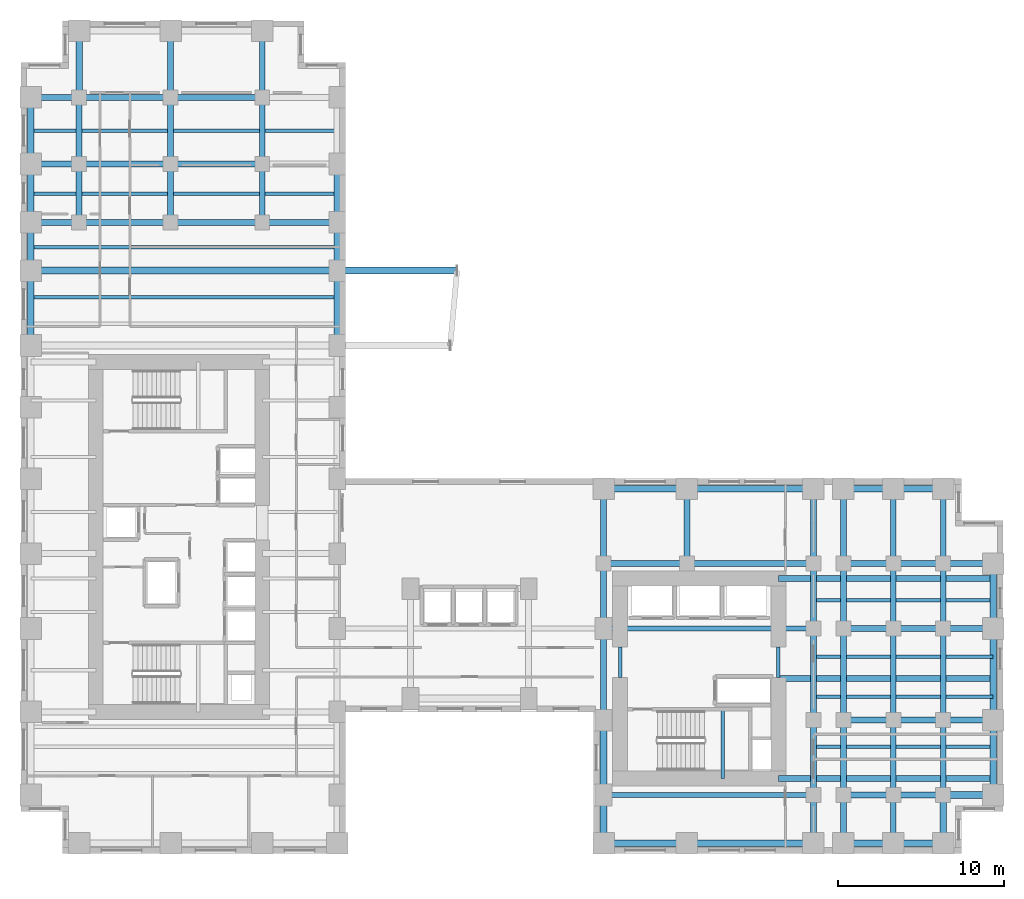
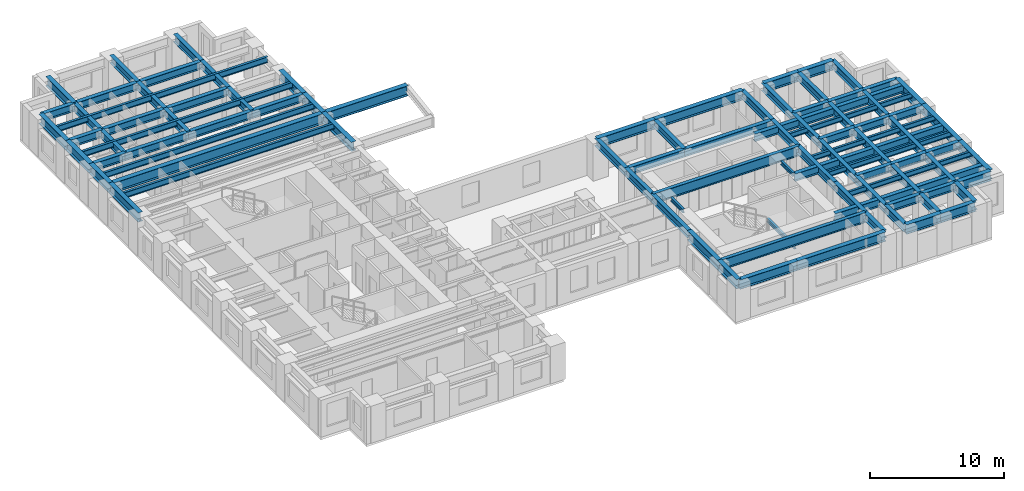
# One storey, part 3 of 13: 95 beams.
"""IFC4 building model written with IfcOpenShell, lengths in metres."""

from ifc_helpers import new_model, si_unit, direction, frame, origin, origin_2d, place, context, subcontext, project, spatial, i_section, extrude, source, transform, mapped, material, material_profile, profile_set, type_object, element, save


model = new_model("IFC4")

# Units and contexts
model_context = context("Model", 3, precision=1e-05, world=origin(), true_north=direction((0.0, 1.0)))
body_context = subcontext(model_context, "Body", "Model", "MODEL_VIEW")
ifc_project = project(units=[si_unit("LENGTHUNIT", "METRE"), si_unit("AREAUNIT", "SQUARE_METRE"), si_unit("VOLUMEUNIT", "CUBIC_METRE"), si_unit("PLANEANGLEUNIT", "RADIAN"), si_unit("MASSUNIT", "GRAM", prefix="KILO")], contexts=[model_context])

# Site, building, storey
site_placement = place(None, origin())
site = spatial("IfcSite", under=ifc_project, at=site_placement, CompositionType="ELEMENT")
building_placement = place(site_placement, origin())
building = spatial("IfcBuilding", under=site, at=building_placement, Name="Kharzan Plaza Tower", CompositionType="ELEMENT")
storey_placement = place(building_placement, frame((0.0, 0.0, 65.699951171875)))
storey = spatial("IfcBuildingStorey", under=building, at=storey_placement, Name="L17", CompositionType="ELEMENT", Elevation=65.699951171875)

# Beams
ifc_material = material(Name="Steel S355", Category="steel")
ifc_material_profile_1 = material_profile(ifc_material, i_section(OverallWidth=0.205078125, OverallDepth=0.35400390625, WebThickness=0.009521484375, FlangeThickness=0.016845703125, at=origin_2d()), Name="W360x79")
ifc_profile_set_1 = profile_set([ifc_material_profile_1], Name="Steel S355")
beam_type_1 = type_object("IfcBeamType", Name="BM-LNT360", PredefinedType="LINTEL", material=ifc_profile_set_1)
shared_shape_1 = source(origin(), body_context, "Body", "SweptSolid", [
    extrude(i_section(OverallWidth=0.205078125, OverallDepth=0.35400390625, WebThickness=0.009521484375, FlangeThickness=0.016845703125, at=origin_2d()), origin(), (0.0, 0.0, 1.0), 1.849853515625),
])
for number, where, z_axis, x_axis, name in (
    (1, (45.5, 10.550048828125, 3.203125), (0.0, 1.0, 0.0), (-1.0, 0.0, 0.0), "L17 CORE-B coupling lintel LN1-WE"),
    (2, (36.0, 10.550048828125, 3.203125), (0.0, 1.0, 0.0), (-1.0, 0.0, 0.0), "L17 CORE-B coupling lintel LN1-WW"),
):
    element("IfcBeam", number, at=place(storey_placement, frame(where, z_axis=z_axis, x_axis=x_axis)), inside=storey, type_object=beam_type_1, Name=name, PredefinedType="LINTEL", context=body_context, shape_type="MappedRepresentation", body=[
        mapped(shared_shape_1, transform((0.0, 0.0, 0.0), x_axis=(1.0, 0.0, 0.0), y_axis=(0.0, 1.0, 0.0), z_axis=(0.0, 0.0, 1.0))),
    ])
shared_shape_2 = source(origin(), body_context, "Body", "SweptSolid", [
    extrude(i_section(OverallWidth=0.205078125, OverallDepth=0.35400390625, WebThickness=0.009521484375, FlangeThickness=0.016845703125, at=origin_2d()), origin(), (0.0, 0.0, 1.0), 4.155029296875),
])
beam_1_placement = place(storey_placement, frame((42.14990234375, 4.5, 1.423095703125), z_axis=(0.0, 1.0, 0.0), x_axis=(-1.0, 0.0, 0.0)))
element("IfcBeam", 3, at=beam_1_placement, inside=storey, type_object=beam_type_1, Name="L17 Stair ST-3 Half-Landing Beam", PredefinedType="LINTEL", context=body_context, shape_type="MappedRepresentation", body=[
    mapped(shared_shape_2, transform((0.0, 0.0, 0.0), x_axis=(1.0, 0.0, 0.0), y_axis=(0.0, 1.0, 0.0), z_axis=(0.0, 0.0, 1.0))),
])
ifc_material_profile_2 = material_profile(ifc_material, i_section(OverallWidth=0.304931640625, OverallDepth=0.9189453125, WebThickness=0.017333984375, FlangeThickness=0.02783203125, at=origin_2d()), Name="W920x253")
ifc_profile_set_2 = profile_set([ifc_material_profile_2], Name="Steel S355")
beam_type_2 = type_object("IfcBeamType", Name="BM-FG920B", PredefinedType="BEAM", material=ifc_profile_set_2)
shared_shape_3 = source(origin(), body_context, "Body", "SweptSolid", [
    extrude(i_section(OverallWidth=0.304931640625, OverallDepth=0.9189453125, WebThickness=0.017333984375, FlangeThickness=0.02783203125, at=origin_2d()), origin(), (0.0, 0.0, 1.0), 12.60009765625),
])
for number, where, z_axis, x_axis, name in (
    (4, (35.0, 3.5, 2.920654296875), (1.0, 0.0, 0.0), (0.0, 1.0, 0.0), "L17 Primary Floor Girder"),
    (5, (35.0, 13.5, 2.920654296875), (1.0, 0.0, 0.0), (0.0, 1.0, 0.0), "L17 Primary Floor Girder"),
):
    element("IfcBeam", number, at=place(storey_placement, frame(where, z_axis=z_axis, x_axis=x_axis)), inside=storey, type_object=beam_type_2, Name=name, PredefinedType="BEAM", context=body_context, shape_type="MappedRepresentation", body=[
        mapped(shared_shape_3, transform((0.0, 0.0, 0.0), x_axis=(1.0, 0.0, 0.0), y_axis=(0.0, 1.0, 0.0), z_axis=(0.0, 0.0, 1.0))),
    ])
ifc_material_profile_3 = material_profile(ifc_material, i_section(OverallWidth=0.35498046875, OverallDepth=0.695068359375, WebThickness=0.015380859375, FlangeThickness=0.02490234375, at=origin_2d()), Name="W690x217")
ifc_profile_set_3 = profile_set([ifc_material_profile_3], Name="Steel S355")
beam_type_3 = type_object("IfcBeamType", Name="BM-FG690A", PredefinedType="BEAM", material=ifc_profile_set_3)
shared_shape_4 = source(origin(), body_context, "Body", "SweptSolid", [
    extrude(i_section(OverallWidth=0.35498046875, OverallDepth=0.695068359375, WebThickness=0.015380859375, FlangeThickness=0.02490234375, at=origin_2d()), origin(), (0.0, 0.0, 1.0), 4.5),
])
for number, where, z_axis, x_axis, name in (
    (6, (35.0, 17.39990234375, 3.032470703125), (0.0, 1.0, 0.0), (-1.0, 0.0, 0.0), "L17 Interior Frame Girder"),
    (7, (40.0, 17.39990234375, 3.032470703125), (0.0, 1.0, 0.0), (-1.0, 0.0, 0.0), "L17 Interior Frame Girder"),
    (8, (47.60009765625, 3.5, 3.032470703125), (0.0, 1.0, 0.0), (-1.0, 0.0, 0.0), "L17 Interior Frame Girder"),
    (9, (47.60009765625, 17.39990234375, 3.032470703125), (0.0, 1.0, 0.0), (-1.0, 0.0, 0.0), "L17 Interior Frame Girder"),
    (10, (49.39990234375, 3.5, 3.032470703125), (0.0, 1.0, 0.0), (-1.0, 0.0, 0.0), "L17 Interior Frame Girder"),
    (11, (49.39990234375, 17.39990234375, 3.032470703125), (0.0, 1.0, 0.0), (-1.0, 0.0, 0.0), "L17 Interior Frame Girder"),
    (12, (52.39990234375, 3.5, 3.032470703125), (0.0, 1.0, 0.0), (-1.0, 0.0, 0.0), "L17 Interior Frame Girder"),
    (13, (52.39990234375, 17.39990234375, 3.032470703125), (0.0, 1.0, 0.0), (-1.0, 0.0, 0.0), "L17 Interior Frame Girder"),
    (14, (55.39990234375, 3.5, 3.032470703125), (0.0, 1.0, 0.0), (-1.0, 0.0, 0.0), "L17 Interior Frame Girder"),
    (15, (55.39990234375, 17.39990234375, 3.032470703125), (0.0, 1.0, 0.0), (-1.0, 0.0, 0.0), "L17 Interior Frame Girder"),
    (16, (14.5, 37.89990234375, 3.032470703125), (1.0, 0.0, 0.0), (0.0, 1.0, 0.0), "L17 Primary Floor Girder"),
):
    element("IfcBeam", number, at=place(storey_placement, frame(where, z_axis=z_axis, x_axis=x_axis)), inside=storey, type_object=beam_type_3, Name=name, PredefinedType="BEAM", context=body_context, shape_type="MappedRepresentation", body=[
        mapped(shared_shape_4, transform((0.0, 0.0, 0.0), x_axis=(1.0, 0.0, 0.0), y_axis=(0.0, 1.0, 0.0), z_axis=(0.0, 0.0, 1.0))),
    ])
shared_shape_5 = source(origin(), body_context, "Body", "SweptSolid", [
    extrude(i_section(OverallWidth=0.35498046875, OverallDepth=0.695068359375, WebThickness=0.015380859375, FlangeThickness=0.02490234375, at=origin_2d()), origin(), (0.0, 0.0, 1.0), 3.89990234375),
])
for number, where, z_axis, x_axis, name in (
    (17, (35.0, 13.5, 3.032470703125), (0.0, 1.0, 0.0), (-1.0, 0.0, 0.0), "L17 Interior Frame Girder"),
    (18, (47.60009765625, 13.5, 3.032470703125), (0.0, 1.0, 0.0), (-1.0, 0.0, 0.0), "L17 Interior Frame Girder"),
    (19, (49.39990234375, 13.5, 3.032470703125), (0.0, 1.0, 0.0), (-1.0, 0.0, 0.0), "L17 Interior Frame Girder"),
    (20, (52.39990234375, 13.5, 3.032470703125), (0.0, 1.0, 0.0), (-1.0, 0.0, 0.0), "L17 Interior Frame Girder"),
    (21, (55.39990234375, 13.5, 3.032470703125), (0.0, 1.0, 0.0), (-1.0, 0.0, 0.0), "L17 Interior Frame Girder"),
):
    element("IfcBeam", number, at=place(storey_placement, frame(where, z_axis=z_axis, x_axis=x_axis)), inside=storey, type_object=beam_type_3, Name=name, PredefinedType="BEAM", context=body_context, shape_type="MappedRepresentation", body=[
        mapped(shared_shape_5, transform((0.0, 0.0, 0.0), x_axis=(1.0, 0.0, 0.0), y_axis=(0.0, 1.0, 0.0), z_axis=(0.0, 0.0, 1.0))),
    ])
shared_shape_6 = source(origin(), body_context, "Body", "SweptSolid", [
    extrude(i_section(OverallWidth=0.35498046875, OverallDepth=0.695068359375, WebThickness=0.015380859375, FlangeThickness=0.02490234375, at=origin_2d()), origin(), (0.0, 0.0, 1.0), 12.89990234375),
])
for number, where, z_axis, x_axis, name in (
    (22, (45.5, 4.5, 3.032470703125), (1.0, 0.0, 0.0), (0.0, 1.0, 0.0), "L17 Core-B East Floor Girder 1"),
    (23, (45.5, 10.5, 3.032470703125), (1.0, 0.0, 0.0), (0.0, 1.0, 0.0), "L17 Core-B East Floor Girder 2"),
    (24, (45.5, 16.5, 3.032470703125), (1.0, 0.0, 0.0), (0.0, 1.0, 0.0), "L17 Core-B East Floor Girder 3"),
):
    element("IfcBeam", number, at=place(storey_placement, frame(where, z_axis=z_axis, x_axis=x_axis)), inside=storey, type_object=beam_type_3, Name=name, PredefinedType="BEAM", context=body_context, shape_type="MappedRepresentation", body=[
        mapped(shared_shape_6, transform((0.0, 0.0, 0.0), x_axis=(1.0, 0.0, 0.0), y_axis=(0.0, 1.0, 0.0), z_axis=(0.0, 0.0, 1.0))),
    ])
shared_shape_7 = source(origin(), body_context, "Body", "SweptSolid", [
    extrude(i_section(OverallWidth=0.35498046875, OverallDepth=0.695068359375, WebThickness=0.015380859375, FlangeThickness=0.02490234375, at=origin_2d()), origin(), (0.0, 0.0, 1.0), 3.5),
])
for number, where, z_axis, x_axis, name in (
    (25, (3.5, 37.89990234375, 3.032470703125), (0.0, 1.0, 0.0), (-1.0, 0.0, 0.0), "L17 Interior Frame Girder"),
    (26, (9.0, 37.89990234375, 3.032470703125), (0.0, 1.0, 0.0), (-1.0, 0.0, 0.0), "L17 Interior Frame Girder"),
    (27, (14.5, 37.89990234375, 3.032470703125), (0.0, 1.0, 0.0), (-1.0, 0.0, 0.0), "L17 Interior Frame Girder"),
):
    element("IfcBeam", number, at=place(storey_placement, frame(where, z_axis=z_axis, x_axis=x_axis)), inside=storey, type_object=beam_type_3, Name=name, PredefinedType="BEAM", context=body_context, shape_type="MappedRepresentation", body=[
        mapped(shared_shape_7, transform((0.0, 0.0, 0.0), x_axis=(1.0, 0.0, 0.0), y_axis=(0.0, 1.0, 0.0), z_axis=(0.0, 0.0, 1.0))),
    ])
shared_shape_8 = source(origin(), body_context, "Body", "SweptSolid", [
    extrude(i_section(OverallWidth=0.35498046875, OverallDepth=0.695068359375, WebThickness=0.015380859375, FlangeThickness=0.02490234375, at=origin_2d()), origin(), (0.0, 0.0, 1.0), 4.0),
])
for number, where, z_axis, x_axis, name in (
    (28, (3.5, 41.39990234375, 3.032470703125), (0.0, 1.0, 0.0), (-1.0, 0.0, 0.0), "L17 Interior Frame Girder"),
    (29, (9.0, 41.39990234375, 3.032470703125), (0.0, 1.0, 0.0), (-1.0, 0.0, 0.0), "L17 Interior Frame Girder"),
    (30, (9.0, 45.39990234375, 3.032470703125), (0.0, 1.0, 0.0), (-1.0, 0.0, 0.0), "L17 Interior Frame Girder"),
    (31, (14.5, 41.39990234375, 3.032470703125), (0.0, 1.0, 0.0), (-1.0, 0.0, 0.0), "L17 Interior Frame Girder"),
    (32, (14.5, 45.39990234375, 3.032470703125), (0.0, 1.0, 0.0), (-1.0, 0.0, 0.0), "L17 Interior Frame Girder"),
):
    element("IfcBeam", number, at=place(storey_placement, frame(where, z_axis=z_axis, x_axis=x_axis)), inside=storey, type_object=beam_type_3, Name=name, PredefinedType="BEAM", context=body_context, shape_type="MappedRepresentation", body=[
        mapped(shared_shape_8, transform((0.0, 0.0, 0.0), x_axis=(1.0, 0.0, 0.0), y_axis=(0.0, 1.0, 0.0), z_axis=(0.0, 0.0, 1.0))),
    ])
shared_shape_9 = source(origin(), body_context, "Body", "SweptSolid", [
    extrude(i_section(OverallWidth=0.35498046875, OverallDepth=0.695068359375, WebThickness=0.015380859375, FlangeThickness=0.02490234375, at=origin_2d()), origin(), (0.0, 0.0, 1.0), 5.0),
])
beam_2_placement = place(storey_placement, frame((35.0, 17.39990234375, 3.032470703125), z_axis=(1.0, 0.0, 0.0), x_axis=(0.0, 1.0, 0.0)))
element("IfcBeam", 33, at=beam_2_placement, inside=storey, type_object=beam_type_3, Name="L17 Primary Floor Girder", PredefinedType="BEAM", context=body_context, shape_type="MappedRepresentation", body=[
    mapped(shared_shape_9, transform((0.0, 0.0, 0.0), x_axis=(1.0, 0.0, 0.0), y_axis=(0.0, 1.0, 0.0), z_axis=(0.0, 0.0, 1.0))),
])
shared_shape_10 = source(origin(), body_context, "Body", "SweptSolid", [
    extrude(i_section(OverallWidth=0.35498046875, OverallDepth=0.695068359375, WebThickness=0.015380859375, FlangeThickness=0.02490234375, at=origin_2d()), origin(), (0.0, 0.0, 1.0), 5.5),
])
for number, where, z_axis, x_axis, name in (
    (34, (35.0, 8.0, 3.032470703125), (0.0, 1.0, 0.0), (-1.0, 0.0, 0.0), "L17 Interior Frame Girder"),
    (35, (47.60009765625, 8.0, 3.032470703125), (0.0, 1.0, 0.0), (-1.0, 0.0, 0.0), "L17 Interior Frame Girder"),
    (36, (49.39990234375, 8.0, 3.032470703125), (0.0, 1.0, 0.0), (-1.0, 0.0, 0.0), "L17 Interior Frame Girder"),
    (37, (52.39990234375, 8.0, 3.032470703125), (0.0, 1.0, 0.0), (-1.0, 0.0, 0.0), "L17 Interior Frame Girder"),
    (38, (55.39990234375, 8.0, 3.032470703125), (0.0, 1.0, 0.0), (-1.0, 0.0, 0.0), "L17 Interior Frame Girder"),
    (39, (3.5, 45.39990234375, 3.032470703125), (1.0, 0.0, 0.0), (0.0, 1.0, 0.0), "L17 Primary Floor Girder"),
    (40, (9.0, 45.39990234375, 3.032470703125), (1.0, 0.0, 0.0), (0.0, 1.0, 0.0), "L17 Primary Floor Girder"),
    (41, (3.5, 37.89990234375, 3.032470703125), (1.0, 0.0, 0.0), (0.0, 1.0, 0.0), "L17 Primary Floor Girder"),
    (42, (9.0, 37.89990234375, 3.032470703125), (1.0, 0.0, 0.0), (0.0, 1.0, 0.0), "L17 Primary Floor Girder"),
    (43, (3.5, 41.39990234375, 3.032470703125), (1.0, 0.0, 0.0), (0.0, 1.0, 0.0), "L17 Primary Floor Girder"),
    (44, (9.0, 41.39990234375, 3.032470703125), (1.0, 0.0, 0.0), (0.0, 1.0, 0.0), "L17 Primary Floor Girder"),
):
    element("IfcBeam", number, at=place(storey_placement, frame(where, z_axis=z_axis, x_axis=x_axis)), inside=storey, type_object=beam_type_3, Name=name, PredefinedType="BEAM", context=body_context, shape_type="MappedRepresentation", body=[
        mapped(shared_shape_10, transform((0.0, 0.0, 0.0), x_axis=(1.0, 0.0, 0.0), y_axis=(0.0, 1.0, 0.0), z_axis=(0.0, 0.0, 1.0))),
    ])
shared_shape_11 = source(origin(), body_context, "Body", "SweptSolid", [
    extrude(i_section(OverallWidth=0.35498046875, OverallDepth=0.695068359375, WebThickness=0.015380859375, FlangeThickness=0.02490234375, at=origin_2d()), origin(), (0.0, 0.0, 1.0), 2.89990234375),
])
for number, where, z_axis, x_axis, name in (
    (45, (47.60009765625, 0.60009765625, 3.032470703125), (0.0, 1.0, 0.0), (-1.0, 0.0, 0.0), "L17 Interior Frame Girder"),
    (46, (49.39990234375, 0.60009765625, 3.032470703125), (0.0, 1.0, 0.0), (-1.0, 0.0, 0.0), "L17 Interior Frame Girder"),
    (47, (52.39990234375, 0.60009765625, 3.032470703125), (0.0, 1.0, 0.0), (-1.0, 0.0, 0.0), "L17 Interior Frame Girder"),
    (48, (0.60009765625, 45.39990234375, 3.032470703125), (1.0, 0.0, 0.0), (0.0, 1.0, 0.0), "L17 Primary Floor Girder"),
    (49, (0.60009765625, 37.89990234375, 3.032470703125), (1.0, 0.0, 0.0), (0.0, 1.0, 0.0), "L17 Primary Floor Girder"),
    (50, (0.60009765625, 41.39990234375, 3.032470703125), (1.0, 0.0, 0.0), (0.0, 1.0, 0.0), "L17 Primary Floor Girder"),
):
    element("IfcBeam", number, at=place(storey_placement, frame(where, z_axis=z_axis, x_axis=x_axis)), inside=storey, type_object=beam_type_3, Name=name, PredefinedType="BEAM", context=body_context, shape_type="MappedRepresentation", body=[
        mapped(shared_shape_11, transform((0.0, 0.0, 0.0), x_axis=(1.0, 0.0, 0.0), y_axis=(0.0, 1.0, 0.0), z_axis=(0.0, 0.0, 1.0))),
    ])
shared_shape_12 = source(origin(), body_context, "Body", "SweptSolid", [
    extrude(i_section(OverallWidth=0.35498046875, OverallDepth=0.695068359375, WebThickness=0.015380859375, FlangeThickness=0.02490234375, at=origin_2d()), origin(), (0.0, 0.0, 1.0), 3.0),
])
for number, where, z_axis, x_axis, name in (
    (51, (49.39990234375, 3.5, 3.032470703125), (1.0, 0.0, 0.0), (0.0, 1.0, 0.0), "L17 Primary Floor Girder"),
    (52, (52.39990234375, 3.5, 3.032470703125), (1.0, 0.0, 0.0), (0.0, 1.0, 0.0), "L17 Primary Floor Girder"),
    (53, (49.39990234375, 8.0, 3.032470703125), (1.0, 0.0, 0.0), (0.0, 1.0, 0.0), "L17 Primary Floor Girder"),
    (54, (52.39990234375, 8.0, 3.032470703125), (1.0, 0.0, 0.0), (0.0, 1.0, 0.0), "L17 Primary Floor Girder"),
    (55, (55.39990234375, 8.0, 3.032470703125), (1.0, 0.0, 0.0), (0.0, 1.0, 0.0), "L17 Primary Floor Girder"),
    (56, (49.39990234375, 13.5, 3.032470703125), (1.0, 0.0, 0.0), (0.0, 1.0, 0.0), "L17 Primary Floor Girder"),
    (57, (52.39990234375, 13.5, 3.032470703125), (1.0, 0.0, 0.0), (0.0, 1.0, 0.0), "L17 Primary Floor Girder"),
    (58, (55.39990234375, 13.5, 3.032470703125), (1.0, 0.0, 0.0), (0.0, 1.0, 0.0), "L17 Primary Floor Girder"),
    (59, (49.39990234375, 17.39990234375, 3.032470703125), (1.0, 0.0, 0.0), (0.0, 1.0, 0.0), "L17 Primary Floor Girder"),
    (60, (52.39990234375, 17.39990234375, 3.032470703125), (1.0, 0.0, 0.0), (0.0, 1.0, 0.0), "L17 Primary Floor Girder"),
    (61, (55.39990234375, 17.39990234375, 3.032470703125), (1.0, 0.0, 0.0), (0.0, 1.0, 0.0), "L17 Primary Floor Girder"),
):
    element("IfcBeam", number, at=place(storey_placement, frame(where, z_axis=z_axis, x_axis=x_axis)), inside=storey, type_object=beam_type_3, Name=name, PredefinedType="BEAM", context=body_context, shape_type="MappedRepresentation", body=[
        mapped(shared_shape_12, transform((0.0, 0.0, 0.0), x_axis=(1.0, 0.0, 0.0), y_axis=(0.0, 1.0, 0.0), z_axis=(0.0, 0.0, 1.0))),
    ])
shared_shape_13 = source(origin(), body_context, "Body", "SweptSolid", [
    extrude(i_section(OverallWidth=0.35498046875, OverallDepth=0.695068359375, WebThickness=0.015380859375, FlangeThickness=0.02490234375, at=origin_2d()), origin(), (0.0, 0.0, 1.0), 7.60009765625),
])
beam_3_placement = place(storey_placement, frame((40.0, 17.39990234375, 3.032470703125), z_axis=(1.0, 0.0, 0.0), x_axis=(0.0, 1.0, 0.0)))
element("IfcBeam", 62, at=beam_3_placement, inside=storey, type_object=beam_type_3, Name="L17 Primary Floor Girder", PredefinedType="BEAM", context=body_context, shape_type="MappedRepresentation", body=[
    mapped(shared_shape_13, transform((0.0, 0.0, 0.0), x_axis=(1.0, 0.0, 0.0), y_axis=(0.0, 1.0, 0.0), z_axis=(0.0, 0.0, 1.0))),
])
ifc_material_profile_4 = material_profile(ifc_material, i_section(OverallWidth=0.2099609375, OverallDepth=0.537109375, WebThickness=0.010986328125, FlangeThickness=0.017333984375, at=origin_2d()), Name="W530x101")
ifc_profile_set_4 = profile_set([ifc_material_profile_4], Name="Steel S355")
beam_type_4 = type_object("IfcBeamType", Name="BM-JST530B", PredefinedType="JOIST", material=ifc_profile_set_4)
shared_shape_14 = source(origin(), body_context, "Body", "SweptSolid", [
    extrude(i_section(OverallWidth=0.2099609375, OverallDepth=0.537109375, WebThickness=0.010986328125, FlangeThickness=0.017333984375, at=origin_2d()), origin(), (0.0, 0.0, 1.0), 18.39990234375),
])
for number, where, z_axis, x_axis, name in (
    (63, (0.60009765625, 33.39990234375, 3.111572265625), (1.0, 0.0, 0.0), (0.0, 1.0, 0.0), "L17 Wing A Composite Joist 05"),
    (64, (0.60009765625, 36.39990234375, 3.111572265625), (1.0, 0.0, 0.0), (0.0, 1.0, 0.0), "L17 Wing A Composite Joist 06"),
    (65, (0.60009765625, 39.60009765625, 3.111572265625), (1.0, 0.0, 0.0), (0.0, 1.0, 0.0), "L17 Wing A Composite Joist 07"),
    (66, (0.60009765625, 43.39990234375, 3.111572265625), (1.0, 0.0, 0.0), (0.0, 1.0, 0.0), "L17 Wing A Composite Joist 08"),
):
    element("IfcBeam", number, at=place(storey_placement, frame(where, z_axis=z_axis, x_axis=x_axis)), inside=storey, type_object=beam_type_4, Name=name, PredefinedType="JOIST", context=body_context, shape_type="MappedRepresentation", body=[
        mapped(shared_shape_14, transform((0.0, 0.0, 0.0), x_axis=(1.0, 0.0, 0.0), y_axis=(0.0, 1.0, 0.0), z_axis=(0.0, 0.0, 1.0))),
    ])
ifc_material_profile_5 = material_profile(ifc_material, i_section(OverallWidth=0.194091796875, OverallDepth=0.468994140625, WebThickness=0.011474609375, FlangeThickness=0.0205078125, at=origin_2d()), Name="W460x106")
ifc_profile_set_5 = profile_set([ifc_material_profile_5], Name="Steel S355")
beam_type_5 = type_object("IfcBeamType", Name="BM-JST460", PredefinedType="JOIST", material=ifc_profile_set_5)
shared_shape_15 = source(origin(), body_context, "Body", "SweptSolid", [
    extrude(i_section(OverallWidth=0.194091796875, OverallDepth=0.468994140625, WebThickness=0.011474609375, FlangeThickness=0.0205078125, at=origin_2d()), origin(), (0.0, 0.0, 1.0), 10.7998046875),
])
for number, where, z_axis, x_axis, name in (
    (67, (47.60009765625, 6.39990234375, 3.1455078125), (1.0, 0.0, 0.0), (0.0, 1.0, 0.0), "L17 Wing B Composite Joist 02"),
    (68, (47.60009765625, 9.39990234375, 3.1455078125), (1.0, 0.0, 0.0), (0.0, 1.0, 0.0), "L17 Wing B Composite Joist 03"),
    (69, (47.60009765625, 11.800048828125, 3.1455078125), (1.0, 0.0, 0.0), (0.0, 1.0, 0.0), "L17 Wing B Composite Joist 04"),
    (70, (47.60009765625, 15.199951171875, 3.1455078125), (1.0, 0.0, 0.0), (0.0, 1.0, 0.0), "L17 Wing B Composite Joist 05"),
):
    element("IfcBeam", number, at=place(storey_placement, frame(where, z_axis=z_axis, x_axis=x_axis)), inside=storey, type_object=beam_type_5, Name=name, PredefinedType="JOIST", context=body_context, shape_type="MappedRepresentation", body=[
        mapped(shared_shape_15, transform((0.0, 0.0, 0.0), x_axis=(1.0, 0.0, 0.0), y_axis=(0.0, 1.0, 0.0), z_axis=(0.0, 0.0, 1.0))),
    ])
ifc_material_profile_6 = material_profile(ifc_material, i_section(OverallWidth=0.40087890625, OverallDepth=0.85498046875, WebThickness=0.018310546875, FlangeThickness=0.029296875, at=origin_2d()), Name="W840x299")
ifc_profile_set_6 = profile_set([ifc_material_profile_6], Name="Steel S355")
beam_type_6 = type_object("IfcBeamType", Name="BM-SP840A", PredefinedType="SPANDREL", material=ifc_profile_set_6)
shared_shape_16 = source(origin(), body_context, "Body", "SweptSolid", [
    extrude(i_section(OverallWidth=0.40087890625, OverallDepth=0.85498046875, WebThickness=0.018310546875, FlangeThickness=0.029296875, at=origin_2d()), origin(), (0.0, 0.0, 1.0), 5.0),
])
for number, where, z_axis, x_axis, name in (
    (71, (35.0, 0.60009765625, 2.95263671875), (1.0, 0.0, 0.0), (0.0, 1.0, 0.0), "L17 Perimeter Tube Spandrel"),
    (72, (35.0, 21.89990234375, 2.95263671875), (1.0, 0.0, 0.0), (0.0, 1.0, 0.0), "L17 Perimeter Tube Spandrel"),
):
    element("IfcBeam", number, at=place(storey_placement, frame(where, z_axis=z_axis, x_axis=x_axis)), inside=storey, type_object=beam_type_6, Name=name, PredefinedType="SPANDREL", context=body_context, shape_type="MappedRepresentation", body=[
        mapped(shared_shape_16, transform((0.0, 0.0, 0.0), x_axis=(1.0, 0.0, 0.0), y_axis=(0.0, 1.0, 0.0), z_axis=(0.0, 0.0, 1.0))),
    ])
shared_shape_17 = source(origin(), body_context, "Body", "SweptSolid", [
    extrude(i_section(OverallWidth=0.40087890625, OverallDepth=0.85498046875, WebThickness=0.018310546875, FlangeThickness=0.029296875, at=origin_2d()), origin(), (0.0, 0.0, 1.0), 4.5),
])
for number, where, z_axis, x_axis, name in (
    (73, (0.60009765625, 30.5, 2.95263671875), (0.0, 1.0, 0.0), (-1.0, 0.0, 0.0), "L17 Perimeter Tube Spandrel"),
    (74, (19.0, 30.5, 2.95263671875), (0.0, 1.0, 0.0), (-1.0, 0.0, 0.0), "L17 Perimeter Tube Spandrel"),
    (75, (35.0, 3.5, 2.95263671875), (0.0, 1.0, 0.0), (-1.0, 0.0, 0.0), "L17 Perimeter Tube Spandrel"),
    (76, (58.39990234375, 3.5, 2.95263671875), (0.0, 1.0, 0.0), (-1.0, 0.0, 0.0), "L17 Perimeter Tube Spandrel"),
):
    element("IfcBeam", number, at=place(storey_placement, frame(where, z_axis=z_axis, x_axis=x_axis)), inside=storey, type_object=beam_type_6, Name=name, PredefinedType="SPANDREL", context=body_context, shape_type="MappedRepresentation", body=[
        mapped(shared_shape_17, transform((0.0, 0.0, 0.0), x_axis=(1.0, 0.0, 0.0), y_axis=(0.0, 1.0, 0.0), z_axis=(0.0, 0.0, 1.0))),
    ])
shared_shape_18 = source(origin(), body_context, "Body", "SweptSolid", [
    extrude(i_section(OverallWidth=0.40087890625, OverallDepth=0.85498046875, WebThickness=0.018310546875, FlangeThickness=0.029296875, at=origin_2d()), origin(), (0.0, 0.0, 1.0), 2.89990234375),
])
for number, where, z_axis, x_axis, name in (
    (77, (0.60009765625, 35.0, 2.95263671875), (0.0, 1.0, 0.0), (-1.0, 0.0, 0.0), "L17 Perimeter Tube Spandrel"),
    (78, (19.0, 35.0, 2.95263671875), (0.0, 1.0, 0.0), (-1.0, 0.0, 0.0), "L17 Perimeter Tube Spandrel"),
    (79, (35.0, 0.60009765625, 2.95263671875), (0.0, 1.0, 0.0), (-1.0, 0.0, 0.0), "L17 Perimeter Tube Spandrel"),
    (80, (55.39990234375, 0.60009765625, 2.95263671875), (0.0, 1.0, 0.0), (-1.0, 0.0, 0.0), "L17 Perimeter Tube Spandrel"),
):
    element("IfcBeam", number, at=place(storey_placement, frame(where, z_axis=z_axis, x_axis=x_axis)), inside=storey, type_object=beam_type_6, Name=name, PredefinedType="SPANDREL", context=body_context, shape_type="MappedRepresentation", body=[
        mapped(shared_shape_18, transform((0.0, 0.0, 0.0), x_axis=(1.0, 0.0, 0.0), y_axis=(0.0, 1.0, 0.0), z_axis=(0.0, 0.0, 1.0))),
    ])
shared_shape_19 = source(origin(), body_context, "Body", "SweptSolid", [
    extrude(i_section(OverallWidth=0.40087890625, OverallDepth=0.85498046875, WebThickness=0.018310546875, FlangeThickness=0.029296875, at=origin_2d()), origin(), (0.0, 0.0, 1.0), 3.5),
])
for number, where, z_axis, x_axis, name in (
    (81, (0.60009765625, 37.89990234375, 2.95263671875), (0.0, 1.0, 0.0), (-1.0, 0.0, 0.0), "L17 Perimeter Tube Spandrel"),
    (82, (19.0, 37.89990234375, 2.95263671875), (0.0, 1.0, 0.0), (-1.0, 0.0, 0.0), "L17 Perimeter Tube Spandrel"),
):
    element("IfcBeam", number, at=place(storey_placement, frame(where, z_axis=z_axis, x_axis=x_axis)), inside=storey, type_object=beam_type_6, Name=name, PredefinedType="SPANDREL", context=body_context, shape_type="MappedRepresentation", body=[
        mapped(shared_shape_19, transform((0.0, 0.0, 0.0), x_axis=(1.0, 0.0, 0.0), y_axis=(0.0, 1.0, 0.0), z_axis=(0.0, 0.0, 1.0))),
    ])
shared_shape_20 = source(origin(), body_context, "Body", "SweptSolid", [
    extrude(i_section(OverallWidth=0.40087890625, OverallDepth=0.85498046875, WebThickness=0.018310546875, FlangeThickness=0.029296875, at=origin_2d()), origin(), (0.0, 0.0, 1.0), 4.0),
])
for number, where, z_axis, x_axis, name in (
    (83, (0.60009765625, 41.39990234375, 2.95263671875), (0.0, 1.0, 0.0), (-1.0, 0.0, 0.0), "L17 Perimeter Tube Spandrel"),
    (84, (3.5, 45.39990234375, 2.95263671875), (0.0, 1.0, 0.0), (-1.0, 0.0, 0.0), "L17 Perimeter Tube Spandrel"),
):
    element("IfcBeam", number, at=place(storey_placement, frame(where, z_axis=z_axis, x_axis=x_axis)), inside=storey, type_object=beam_type_6, Name=name, PredefinedType="SPANDREL", context=body_context, shape_type="MappedRepresentation", body=[
        mapped(shared_shape_20, transform((0.0, 0.0, 0.0), x_axis=(1.0, 0.0, 0.0), y_axis=(0.0, 1.0, 0.0), z_axis=(0.0, 0.0, 1.0))),
    ])
shared_shape_21 = source(origin(), body_context, "Body", "SweptSolid", [
    extrude(i_section(OverallWidth=0.40087890625, OverallDepth=0.85498046875, WebThickness=0.018310546875, FlangeThickness=0.029296875, at=origin_2d()), origin(), (0.0, 0.0, 1.0), 5.5),
])
beam_4_placement = place(storey_placement, frame((58.39990234375, 8.0, 2.95263671875), z_axis=(0.0, 1.0, 0.0), x_axis=(-1.0, 0.0, 0.0)))
element("IfcBeam", 85, at=beam_4_placement, inside=storey, type_object=beam_type_6, Name="L17 Perimeter Tube Spandrel", PredefinedType="SPANDREL", context=body_context, shape_type="MappedRepresentation", body=[
    mapped(shared_shape_21, transform((0.0, 0.0, 0.0), x_axis=(1.0, 0.0, 0.0), y_axis=(0.0, 1.0, 0.0), z_axis=(0.0, 0.0, 1.0))),
])
shared_shape_22 = source(origin(), body_context, "Body", "SweptSolid", [
    extrude(i_section(OverallWidth=0.40087890625, OverallDepth=0.85498046875, WebThickness=0.018310546875, FlangeThickness=0.029296875, at=origin_2d()), origin(), (0.0, 0.0, 1.0), 3.89990234375),
])
beam_5_placement = place(storey_placement, frame((58.39990234375, 13.5, 2.95263671875), z_axis=(0.0, 1.0, 0.0), x_axis=(-1.0, 0.0, 0.0)))
element("IfcBeam", 86, at=beam_5_placement, inside=storey, type_object=beam_type_6, Name="L17 Perimeter Tube Spandrel", PredefinedType="SPANDREL", context=body_context, shape_type="MappedRepresentation", body=[
    mapped(shared_shape_22, transform((0.0, 0.0, 0.0), x_axis=(1.0, 0.0, 0.0), y_axis=(0.0, 1.0, 0.0), z_axis=(0.0, 0.0, 1.0))),
])
shared_shape_23 = source(origin(), body_context, "Body", "SweptSolid", [
    extrude(i_section(OverallWidth=0.40087890625, OverallDepth=0.85498046875, WebThickness=0.018310546875, FlangeThickness=0.029296875, at=origin_2d()), origin(), (0.0, 0.0, 1.0), 7.60009765625),
])
for number, where, z_axis, x_axis, name in (
    (87, (40.0, 0.60009765625, 2.95263671875), (1.0, 0.0, 0.0), (0.0, 1.0, 0.0), "L17 Perimeter Tube Spandrel"),
    (88, (40.0, 21.89990234375, 2.95263671875), (1.0, 0.0, 0.0), (0.0, 1.0, 0.0), "L17 Perimeter Tube Spandrel"),
):
    element("IfcBeam", number, at=place(storey_placement, frame(where, z_axis=z_axis, x_axis=x_axis)), inside=storey, type_object=beam_type_6, Name=name, PredefinedType="SPANDREL", context=body_context, shape_type="MappedRepresentation", body=[
        mapped(shared_shape_23, transform((0.0, 0.0, 0.0), x_axis=(1.0, 0.0, 0.0), y_axis=(0.0, 1.0, 0.0), z_axis=(0.0, 0.0, 1.0))),
    ])
shared_shape_24 = source(origin(), body_context, "Body", "SweptSolid", [
    extrude(i_section(OverallWidth=0.40087890625, OverallDepth=0.85498046875, WebThickness=0.018310546875, FlangeThickness=0.029296875, at=origin_2d()), origin(), (0.0, 0.0, 1.0), 3.0),
])
for number, where, z_axis, x_axis, name in (
    (89, (49.39990234375, 0.60009765625, 2.95263671875), (1.0, 0.0, 0.0), (0.0, 1.0, 0.0), "L17 Perimeter Tube Spandrel"),
    (90, (52.39990234375, 0.60009765625, 2.95263671875), (1.0, 0.0, 0.0), (0.0, 1.0, 0.0), "L17 Perimeter Tube Spandrel"),
    (91, (55.39990234375, 3.5, 2.95263671875), (1.0, 0.0, 0.0), (0.0, 1.0, 0.0), "L17 Perimeter Tube Spandrel"),
    (92, (49.39990234375, 21.89990234375, 2.95263671875), (1.0, 0.0, 0.0), (0.0, 1.0, 0.0), "L17 Perimeter Tube Spandrel"),
    (93, (52.39990234375, 21.89990234375, 2.95263671875), (1.0, 0.0, 0.0), (0.0, 1.0, 0.0), "L17 Perimeter Tube Spandrel"),
):
    element("IfcBeam", number, at=place(storey_placement, frame(where, z_axis=z_axis, x_axis=x_axis)), inside=storey, type_object=beam_type_6, Name=name, PredefinedType="SPANDREL", context=body_context, shape_type="MappedRepresentation", body=[
        mapped(shared_shape_24, transform((0.0, 0.0, 0.0), x_axis=(1.0, 0.0, 0.0), y_axis=(0.0, 1.0, 0.0), z_axis=(0.0, 0.0, 1.0))),
    ])
ifc_material_profile_7 = material_profile(ifc_material, i_section(OverallWidth=0.41796875, OverallDepth=0.93701171875, WebThickness=0.019287109375, FlangeThickness=0.031982421875, at=origin_2d()), Name="W920x342")
ifc_profile_set_7 = profile_set([ifc_material_profile_7], Name="Steel S355")
beam_type_7 = type_object("IfcBeamType", Name="BM-ZTB920", PredefinedType="BEAM", material=ifc_profile_set_7)
shared_shape_25 = source(origin(), body_context, "Body", "SweptSolid", [
    extrude(i_section(OverallWidth=0.41796875, OverallDepth=0.93701171875, WebThickness=0.019287109375, FlangeThickness=0.031982421875, at=origin_2d()), origin(), (0.0, 0.0, 1.0), 18.39990234375),
])
beam_6_placement = place(storey_placement, frame((0.60009765625, 35.0, 2.91162109375), z_axis=(1.0, 0.0, 0.0), x_axis=(0.0, 1.0, 0.0)))
element("IfcBeam", 94, at=beam_6_placement, inside=storey, type_object=beam_type_7, Name="L17 Sky-Terrace Back-Span Girder ZTB1 (L18 G2)", PredefinedType="BEAM", context=body_context, shape_type="MappedRepresentation", body=[
    mapped(shared_shape_25, transform((0.0, 0.0, 0.0), x_axis=(1.0, 0.0, 0.0), y_axis=(0.0, 1.0, 0.0), z_axis=(0.0, 0.0, 1.0))),
])
ifc_material_profile_8 = material_profile(ifc_material, i_section(OverallWidth=0.41796875, OverallDepth=0.93701171875, WebThickness=0.019287109375, FlangeThickness=0.031982421875, at=origin_2d()), Name="W920x342")
ifc_profile_set_8 = profile_set([ifc_material_profile_8], Name="Steel S355")
beam_type_8 = type_object("IfcBeamType", Name="BM-ZTG920", PredefinedType="BEAM", material=ifc_profile_set_8)
shared_shape_26 = source(origin(), body_context, "Body", "SweptSolid", [
    extrude(i_section(OverallWidth=0.41796875, OverallDepth=0.93701171875, WebThickness=0.019287109375, FlangeThickness=0.031982421875, at=origin_2d()), origin(), (0.0, 0.0, 1.0), 7.199951171875),
])
beam_7_placement = place(storey_placement, frame((19.0, 35.0, 2.91162109375), z_axis=(1.0, 0.0, 0.0), x_axis=(0.0, 1.0, 0.0)))
element("IfcBeam", 95, at=beam_7_placement, inside=storey, type_object=beam_type_8, Name="L17 Sky-Terrace Cantilever Girder ZTG1 (L18 G2)", PredefinedType="BEAM", context=body_context, shape_type="MappedRepresentation", body=[
    mapped(shared_shape_26, transform((0.0, 0.0, 0.0), x_axis=(1.0, 0.0, 0.0), y_axis=(0.0, 1.0, 0.0), z_axis=(0.0, 0.0, 1.0))),
])

save(model, "model.ifc")
